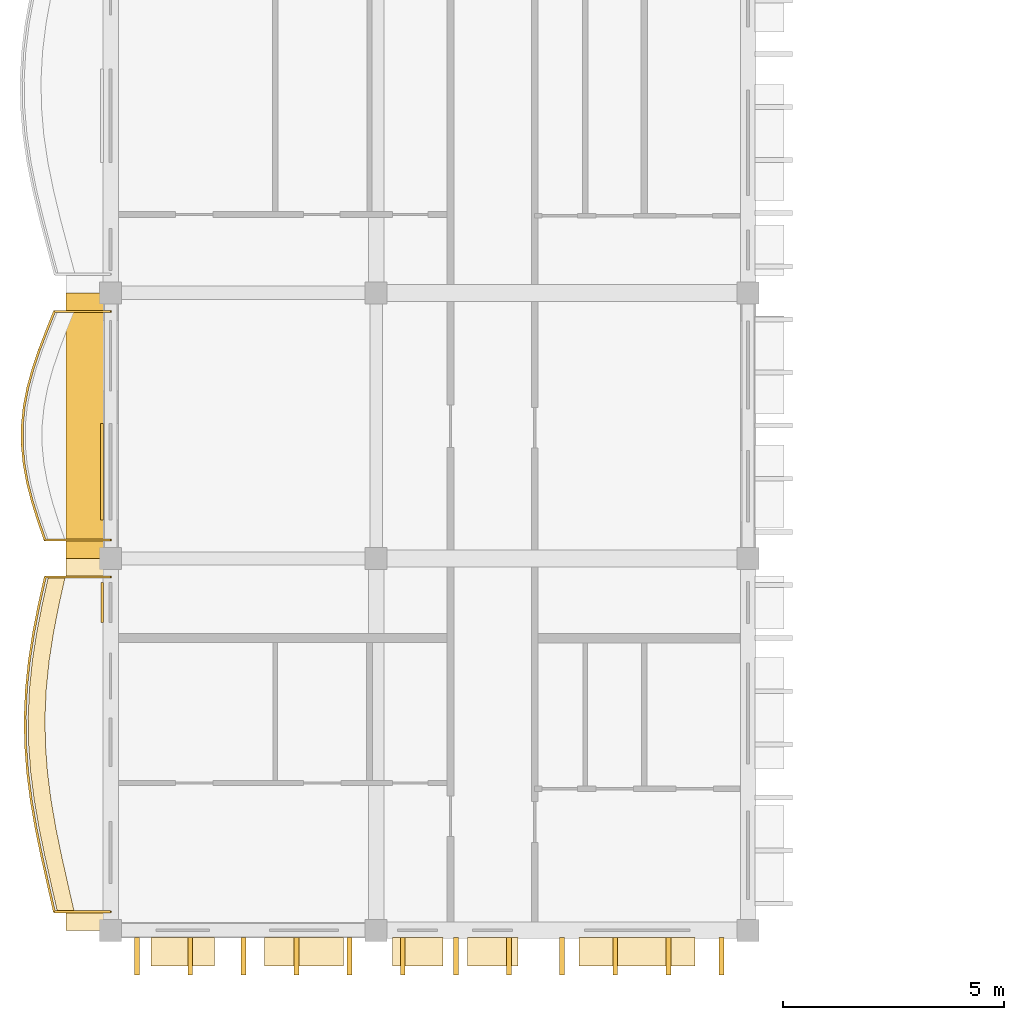
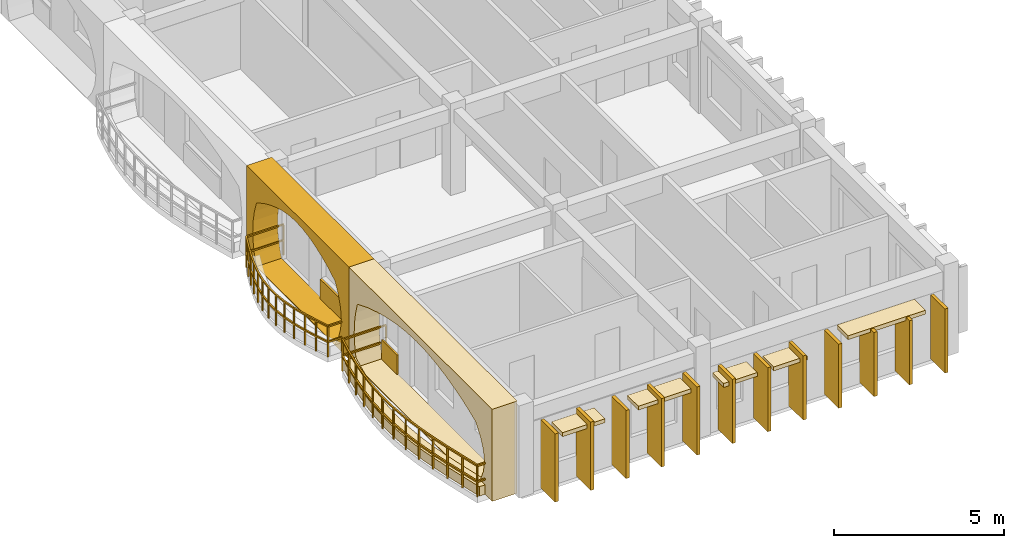
# One storey, part 8 of 11: 22 coverings, 2 railings.
"""IFC4 building model written with IfcOpenShell, lengths in metres."""

from ifc_helpers import new_model, si_unit, direction, frame, origin, origin_2d, place, context, subcontext, project, spatial, polyline, rectangle, outline, extrude, material, layer, layer_set, type_object, element, save


model = new_model("IFC4")

# Units and contexts
model_context = context("Model", 3, precision=1e-05, world=origin(), true_north=direction((0.0, 1.0)))
body_context = subcontext(model_context, "Body", "Model", "MODEL_VIEW")
ifc_project = project(units=[si_unit("LENGTHUNIT", "METRE"), si_unit("AREAUNIT", "SQUARE_METRE"), si_unit("VOLUMEUNIT", "CUBIC_METRE"), si_unit("PLANEANGLEUNIT", "RADIAN"), si_unit("MASSUNIT", "GRAM", prefix="KILO"), si_unit("THERMODYNAMICTEMPERATUREUNIT", "KELVIN")], contexts=[model_context])

# Site, building, storey
site_placement = place(None, origin())
site = spatial("IfcSite", under=ifc_project, at=site_placement, CompositionType="ELEMENT")
building_placement = place(site_placement, origin())
building = spatial("IfcBuilding", under=site, at=building_placement, Name="Thalorik Housing Commons", CompositionType="ELEMENT")
storey_placement = place(building_placement, frame((0.0, 0.0, 47.699951171875)))
storey = spatial("IfcBuildingStorey", under=building, at=storey_placement, Name="L14", CompositionType="ELEMENT", Elevation=47.699951171875)

# Coverings
ifc_material_1 = material(Name="Precast concrete C40/50", Category="concrete")
ifc_layer_1 = layer(ifc_material_1, 0.85009765625, Name="Precast concrete C40/50", Category="concrete")
ifc_layer_set_1 = layer_set([ifc_layer_1], Name="Precast concrete C40/50")
covering_type_1 = type_object("IfcCoveringType", Name="ARC-CLD-CUSH-850", PredefinedType="CLADDING", material=ifc_layer_set_1)
covering_1_placement = place(storey_placement, frame((7.81494140625, 97.800048828125, 0.0), z_axis=(0.0, 0.0, 1.0), x_axis=(0.0, -1.0, 0.0)))
element("IfcCovering", 1, at=covering_1_placement, inside=storey, type_object=covering_type_1, Name="L14 White Precast Curved Cushion Bay Frame 1362", PredefinedType="CLADDING", context=body_context, shape_type="SweptSolid", body=[
    extrude(outline(polyline([(-3.0, 0.0), (3.0, 0.0), (3.0, 3.300048828125), (-3.0, 3.300048828125), (-3.0, 0.0)]), holes=[polyline([(2.179931640625, 0.02490234375), (2.385498046875, 0.404296875), (2.5087890625, 0.783203125), (2.550048828125, 1.16259765625), (2.5087890625, 1.541748046875), (2.385498046875, 1.9208984375), (2.179931640625, 2.300048828125), (1.7958984375, 2.525390625), (1.41162109375, 2.7021484375), (1.027587890625, 2.845458984375), (0.643310546875, 2.951904296875), (0.25927734375, 3.017822265625), (-0.125, 3.0400390625), (-0.50927734375, 3.017822265625), (-0.893310546875, 2.951904296875), (-1.277587890625, 2.845458984375), (-1.66162109375, 2.7021484375), (-2.0458984375, 2.525390625), (-2.429931640625, 2.300048828125), (-2.55029296875, 1.9208984375), (-2.62255859375, 1.541748046875), (-2.646484375, 1.16259765625), (-2.62255859375, 0.783203125), (-2.55029296875, 0.404296875), (-2.429931640625, 0.02490234375), (2.179931640625, 0.02490234375)])]), frame((0.0, 0.425048828125, 0.0), z_axis=(0.0, -1.0, 0.0), x_axis=(1.0, 0.0, 0.0)), (0.0, 0.0, 1.0), 0.85009765625),
])
covering_2_placement = place(storey_placement, frame((7.81494140625, 90.60009765625, 0.0), z_axis=(0.0, 0.0, 1.0), x_axis=(0.0, -1.0, 0.0)))
element("IfcCovering", 2, at=covering_2_placement, inside=storey, type_object=covering_type_1, Name="L14 White Precast Curved Cushion Bay Frame 1364", PredefinedType="CLADDING", context=body_context, shape_type="SweptSolid", body=[
    extrude(outline(polyline([(-4.199951171875, 0.0), (4.199951171875, 0.0), (4.199951171875, 3.300048828125), (-4.199951171875, 3.300048828125), (-4.199951171875, 0.0)]), holes=[polyline([(3.239990234375, 0.02490234375), (3.523193359375, 0.399169921875), (3.693359375, 0.773193359375), (3.75, 1.1474609375), (3.693359375, 1.521728515625), (3.523193359375, 1.895751953125), (3.239990234375, 2.27001953125), (2.661376953125, 2.50439453125), (2.08251953125, 2.6884765625), (1.50390625, 2.837646484375), (0.925048828125, 2.948486328125), (0.34619140625, 3.016845703125), (-0.232421875, 3.0400390625), (-0.811279296875, 3.016845703125), (-1.389892578125, 2.948486328125), (-1.96875, 2.837646484375), (-2.547607421875, 2.6884765625), (-3.126220703125, 2.50439453125), (-3.705078125, 2.27001953125), (-3.8095703125, 1.895751953125), (-3.872314453125, 1.521728515625), (-3.89306640625, 1.1474609375), (-3.872314453125, 0.773193359375), (-3.8095703125, 0.399169921875), (-3.705078125, 0.02490234375), (3.239990234375, 0.02490234375)])]), frame((0.0, 0.425048828125, 0.0), z_axis=(0.0, -1.0, 0.0), x_axis=(1.0, 0.0, 0.0)), (0.0, 0.0, 1.0), 0.85009765625),
])
ifc_layer_2 = layer(ifc_material_1, 0.85009765625, Name="Precast concrete C40/50", Category="concrete")
ifc_layer_set_2 = layer_set([ifc_layer_2], Name="Precast concrete C40/50")
covering_type_2 = type_object("IfcCoveringType", Name="ARC-CLD-FIN-850", PredefinedType="CLADDING", material=ifc_layer_set_2)
for number, where, z_axis, x_axis, name in (
    (3, (9.0, 85.81494140625, 0.0400390625), (0.0, 0.0, 1.0), (1.0, 0.0, 0.0), "L14 Courtyard Precast Vertical Brise-Soleil Fin 1366"),
    (4, (10.199951171875, 85.81494140625, 0.0400390625), (0.0, 0.0, 1.0), (1.0, 0.0, 0.0), "L14 Courtyard Precast Vertical Brise-Soleil Fin 1367"),
    (5, (11.39990234375, 85.81494140625, 0.0400390625), (0.0, 0.0, 1.0), (1.0, 0.0, 0.0), "L14 Courtyard Precast Vertical Brise-Soleil Fin 1368"),
    (6, (12.60009765625, 85.81494140625, 0.0400390625), (0.0, 0.0, 1.0), (1.0, 0.0, 0.0), "L14 Courtyard Precast Vertical Brise-Soleil Fin 1369"),
    (7, (13.800048828125, 85.81494140625, 0.0400390625), (0.0, 0.0, 1.0), (1.0, 0.0, 0.0), "L14 Courtyard Precast Vertical Brise-Soleil Fin 1370"),
):
    element("IfcCovering", number, at=place(storey_placement, frame(where, z_axis=z_axis, x_axis=x_axis)), inside=storey, type_object=covering_type_2, Name=name, PredefinedType="CLADDING", context=body_context, shape_type="SweptSolid", body=[
        extrude(rectangle(XDim=0.110107421875, YDim=0.85009765625, at=origin_2d()), origin(), (0.0, 0.0, 1.0), 2.445068359375),
    ])
for number, where, z_axis, x_axis, name in (
    (8, (15.0, 85.81494140625, 0.0400390625), (0.0, 0.0, 1.0), (1.0, 0.0, 0.0), "L14 Courtyard Precast Vertical Brise-Soleil Fin 1373"),
    (9, (16.199951171875, 85.81494140625, 0.0400390625), (0.0, 0.0, 1.0), (1.0, 0.0, 0.0), "L14 Courtyard Precast Vertical Brise-Soleil Fin 1374"),
    (10, (17.39990234375, 85.81494140625, 0.0400390625), (0.0, 0.0, 1.0), (1.0, 0.0, 0.0), "L14 Courtyard Precast Vertical Brise-Soleil Fin 1375"),
    (11, (18.60009765625, 85.81494140625, 0.0400390625), (0.0, 0.0, 1.0), (1.0, 0.0, 0.0), "L14 Courtyard Precast Vertical Brise-Soleil Fin 1376"),
    (12, (19.800048828125, 85.81494140625, 0.0400390625), (0.0, 0.0, 1.0), (1.0, 0.0, 0.0), "L14 Courtyard Precast Vertical Brise-Soleil Fin 1377"),
    (13, (21.0, 85.81494140625, 0.0400390625), (0.0, 0.0, 1.0), (1.0, 0.0, 0.0), "L14 Courtyard Precast Vertical Brise-Soleil Fin 1378"),
    (14, (22.199951171875, 85.81494140625, 0.0400390625), (0.0, 0.0, 1.0), (1.0, 0.0, 0.0), "L14 Courtyard Precast Vertical Brise-Soleil Fin 1379"),
):
    element("IfcCovering", number, at=place(storey_placement, frame(where, z_axis=z_axis, x_axis=x_axis)), inside=storey, type_object=covering_type_2, Name=name, PredefinedType="CLADDING", context=body_context, shape_type="SweptSolid", body=[
        extrude(rectangle(XDim=0.110107421875, YDim=0.85009765625, at=origin_2d()), origin(), (0.0, 0.0, 1.0), 2.294921875),
    ])
ifc_layer_3 = layer(ifc_material_1, 0.64990234375, Name="Precast concrete C40/50", Category="concrete")
ifc_layer_set_3 = layer_set([ifc_layer_3], Name="Precast concrete C40/50")
covering_type_3 = type_object("IfcCoveringType", Name="ARC-CLD-HOOD-650", PredefinedType="CLADDING", material=ifc_layer_set_3)
covering_3_placement = place(storey_placement, frame((10.030029296875, 85.9150390625, 2.14013671875), z_axis=(0.0, 0.0, 1.0), x_axis=(1.0, 0.0, 0.0)))
element("IfcCovering", 15, at=covering_3_placement, inside=storey, type_object=covering_type_3, Name="L14 Courtyard Precast Window Sun-Hood 1371", PredefinedType="CLADDING", context=body_context, shape_type="SweptSolid", body=[
    extrude(rectangle(XDim=1.43994140625, YDim=0.64990234375, at=origin_2d()), origin(), (0.0, 0.0, 1.0), 0.139892578125),
])
covering_4_placement = place(storey_placement, frame((12.77001953125, 85.9150390625, 2.18994140625), z_axis=(0.0, 0.0, 1.0), x_axis=(1.0, 0.0, 0.0)))
element("IfcCovering", 16, at=covering_4_placement, inside=storey, type_object=covering_type_3, Name="L14 Courtyard Precast Window Sun-Hood 1372", PredefinedType="CLADDING", context=body_context, shape_type="SweptSolid", body=[
    extrude(rectangle(XDim=1.7900390625, YDim=0.64990234375, at=origin_2d()), origin(), (0.0, 0.0, 1.0), 0.139892578125),
])
for number, where, z_axis, x_axis, name in (
    (17, (15.3349609375, 85.9150390625, 1.990234375), (0.0, 0.0, 1.0), (1.0, 0.0, 0.0), "L14 Courtyard Precast Window Sun-Hood 1380"),
    (18, (17.030029296875, 85.9150390625, 1.990234375), (0.0, 0.0, 1.0), (1.0, 0.0, 0.0), "L14 Courtyard Precast Window Sun-Hood 1381"),
):
    element("IfcCovering", number, at=place(storey_placement, frame(where, z_axis=z_axis, x_axis=x_axis)), inside=storey, type_object=covering_type_3, Name=name, PredefinedType="CLADDING", context=body_context, shape_type="SweptSolid", body=[
        extrude(rectangle(XDim=1.139892578125, YDim=0.64990234375, at=origin_2d()), origin(), (0.0, 0.0, 1.0), 0.139892578125),
    ])
covering_5_placement = place(storey_placement, frame((20.294921875, 85.9150390625, 2.22509765625), z_axis=(0.0, 0.0, 1.0), x_axis=(1.0, 0.0, 0.0)))
element("IfcCovering", 19, at=covering_5_placement, inside=storey, type_object=covering_type_3, Name="L14 Courtyard Precast Window Sun-Hood 1382", PredefinedType="CLADDING", context=body_context, shape_type="SweptSolid", body=[
    extrude(rectangle(XDim=2.6201171875, YDim=0.64990234375, at=origin_2d()), origin(), (0.0, 0.0, 1.0), 0.139892578125),
])
ifc_material_2 = material(Name="Terracotta red mineral fibre-cement panel", Category="masonry")
ifc_layer_4 = layer(ifc_material_2, 0.054931640625, Name="Terracotta red mineral fibre-cement panel", Category="masonry")
ifc_layer_set_4 = layer_set([ifc_layer_4], Name="Terracotta red mineral fibre-cement panel")
covering_type_4 = type_object("IfcCoveringType", Name="ARC-CLD-RED-55", PredefinedType="CLADDING", material=ifc_layer_set_4)
covering_6_placement = place(storey_placement, frame((8.20751953125, 93.804931640625, 0.05029296875), z_axis=(0.0, 0.0, 1.0), x_axis=(0.0, -1.0, 0.0)))
element("IfcCovering", 20, at=covering_6_placement, inside=storey, type_object=covering_type_4, Name="L14 De Stijl Recessed Window Spandrel 1365", PredefinedType="CLADDING", context=body_context, shape_type="SweptSolid", body=[
    extrude(rectangle(XDim=0.89990234375, YDim=0.054931640625, at=origin_2d()), origin(), (0.0, 0.0, 1.0), 0.699951171875),
])
ifc_material_3 = material(Name="Mineral ochre architectural terracotta panel", Category="masonry")
ifc_layer_5 = layer(ifc_material_3, 0.06494140625, Name="Mineral ochre architectural terracotta panel", Category="masonry")
ifc_layer_set_5 = layer_set([ifc_layer_5], Name="Mineral ochre architectural terracotta panel")
covering_type_5 = type_object("IfcCoveringType", Name="ARC-CLD-YEL-65", PredefinedType="CLADDING", material=ifc_layer_set_5)
covering_7_placement = place(storey_placement, frame((8.202392578125, 96.760009765625, 0.05029296875), z_axis=(0.0, 0.0, 1.0), x_axis=(0.0, -1.0, 0.0)))
element("IfcCovering", 21, at=covering_7_placement, inside=storey, type_object=covering_type_5, Name="L14 De Stijl Recessed Window Spandrel 1363", PredefinedType="CLADDING", context=body_context, shape_type="SweptSolid", body=[
    extrude(rectangle(XDim=2.179931640625, YDim=0.06494140625, at=origin_2d()), origin(), (0.0, 0.0, 1.0), 0.699951171875),
])
ifc_material_4 = material(Name="Planted vegetated substrate and terracotta trough", Category="masonry")
ifc_layer_6 = layer(ifc_material_4, 0.340087890625, Name="Planted vegetated substrate and terracotta trough", Category="masonry")
ifc_layer_set_6 = layer_set([ifc_layer_6], Name="Planted vegetated substrate and terracotta trough")
covering_type_6 = type_object("IfcCoveringType", Name="ARC-COV-PLANTER", PredefinedType="USERDEFINED", material=ifc_layer_set_6)
covering_8_placement = place(storey_placement, origin())
element("IfcCovering", 22, at=covering_8_placement, inside=storey, type_object=covering_type_6, Name="L14 Balcony Slab-Edge Planted Trough 5409", ObjectType="PLANTER", PredefinedType="USERDEFINED", context=body_context, shape_type="SweptSolid", body=[
    extrude(outline(polyline([(6.99365234375, 94.3798828125), (6.85302734375, 93.75), (6.730224609375, 93.1201171875), (6.633056640625, 92.489990234375), (6.56787109375, 91.860107421875), (6.5390625, 91.22998046875), (6.548583984375, 90.60009765625), (6.59521484375, 89.969970703125), (6.675537109375, 89.340087890625), (6.7841796875, 88.7099609375), (6.913818359375, 88.080078125), (7.055419921875, 87.449951171875), (7.19921875, 86.820068359375), (7.5791015625, 86.820068359375), (7.435302734375, 87.449951171875), (7.293701171875, 88.080078125), (7.164306640625, 88.7099609375), (7.0556640625, 89.340087890625), (6.97509765625, 89.969970703125), (6.928466796875, 90.60009765625), (6.919189453125, 91.22998046875), (6.947998046875, 91.860107421875), (7.012939453125, 92.489990234375), (7.110107421875, 93.1201171875), (7.233154296875, 93.75), (7.37353515625, 94.3798828125), (6.99365234375, 94.3798828125)])), origin(), (0.0, 0.0, 1.0), 0.340087890625),
])

# Railings
ifc_material_5 = material(Name="Steel S355", Category="steel")
railing_type_1 = type_object("IfcRailingType", Name="ARC-RL-BAL-112", PredefinedType="BALUSTRADE", material=ifc_material_5)
railing_1_placement = place(storey_placement, frame((8.39990234375, 100.3798828125, 0.0)))
element("IfcRailing", 23, at=railing_1_placement, inside=storey, type_object=railing_type_1, Name="L14 Cushion Balcony Guardrail 94", PredefinedType="BALUSTRADE", context=body_context, shape_type="SweptSolid", body=[
    extrude(rectangle(XDim=0.050048828125, YDim=0.050048828125, at=origin_2d()), frame((0.0, 0.0, 1.09521484375), z_axis=(-1.0, 0.0, 0.0), x_axis=(0.0, -1.0, 0.0)), (0.0, 0.0, 1.0), 1.26904296875),
    extrude(rectangle(XDim=0.050048828125, YDim=0.050048828125, at=origin_2d()), frame((0.0, 0.0, 0.53515625), z_axis=(-1.0, 0.0, 0.0), x_axis=(0.0, -1.0, 0.0)), (0.0, 0.0, 1.0), 1.26904296875),
    extrude(rectangle(XDim=0.050048828125, YDim=0.050048828125, at=origin_2d()), frame((-1.26904296875, 0.0, 1.09521484375), z_axis=(-0.372117567618, -0.928185604214, 0.0), x_axis=(0.928185604214, -0.372117567618, 0.0)), (0.0, 0.0, 1.0), 0.463134765625),
    extrude(rectangle(XDim=0.050048828125, YDim=0.050048828125, at=origin_2d()), frame((-1.26904296875, 0.0, 0.53515625), z_axis=(-0.372117567618, -0.928185604214, 0.0), x_axis=(0.928185604214, -0.372117567618, 0.0)), (0.0, 0.0, 1.0), 0.463134765625),
    extrude(rectangle(XDim=0.050048828125, YDim=0.050048828125, at=origin_2d()), frame((-1.44140625, -0.429931640625, 1.09521484375), z_axis=(-0.356987736804, -0.934109070597, 0.0), x_axis=(0.934109070597, -0.356987736804, 0.0)), (0.0, 0.0, 1.0), 0.460205078125),
    extrude(rectangle(XDim=0.050048828125, YDim=0.050048828125, at=origin_2d()), frame((-1.44140625, -0.429931640625, 0.53515625), z_axis=(-0.356987736804, -0.934109070597, 0.0), x_axis=(0.934109070597, -0.356987736804, 0.0)), (0.0, 0.0, 1.0), 0.460205078125),
    extrude(rectangle(XDim=0.050048828125, YDim=0.050048828125, at=origin_2d()), frame((-1.605712890625, -0.85986328125, 1.09521484375), z_axis=(-0.321546041533, -0.946893945051, 0.0), x_axis=(0.946893945051, -0.321546041533, 0.0)), (0.0, 0.0, 1.0), 0.4541015625),
    extrude(rectangle(XDim=0.050048828125, YDim=0.050048828125, at=origin_2d()), frame((-1.605712890625, -0.85986328125, 0.53515625), z_axis=(-0.321546041533, -0.946893945051, 0.0), x_axis=(0.946893945051, -0.321546041533, 0.0)), (0.0, 0.0, 1.0), 0.4541015625),
    extrude(rectangle(XDim=0.050048828125, YDim=0.050048828125, at=origin_2d()), frame((-1.751708984375, -1.289794921875, 1.09521484375), z_axis=(-0.26538539722, -0.964142412169, 0.0), x_axis=(0.964142412169, -0.26538539722, 0.0)), (0.0, 0.0, 1.0), 0.4462890625),
    extrude(rectangle(XDim=0.050048828125, YDim=0.050048828125, at=origin_2d()), frame((-1.751708984375, -1.289794921875, 0.53515625), z_axis=(-0.26538539722, -0.964142412169, 0.0), x_axis=(0.964142412169, -0.26538539722, 0.0)), (0.0, 0.0, 1.0), 0.4462890625),
    extrude(rectangle(XDim=0.050048828125, YDim=0.050048828125, at=origin_2d()), frame((-1.8701171875, -1.719970703125, 1.09521484375), z_axis=(-0.190108578835, -0.981763071343, 0.0), x_axis=(0.981763071343, -0.190108578835, 0.0)), (0.0, 0.0, 1.0), 0.43798828125),
    extrude(rectangle(XDim=0.050048828125, YDim=0.050048828125, at=origin_2d()), frame((-1.8701171875, -1.719970703125, 0.53515625), z_axis=(-0.190108578835, -0.981763071343, 0.0), x_axis=(0.981763071343, -0.190108578835, 0.0)), (0.0, 0.0, 1.0), 0.43798828125),
    extrude(rectangle(XDim=0.050048828125, YDim=0.050048828125, at=origin_2d()), frame((-1.953369140625, -2.14990234375, 1.09521484375), z_axis=(-0.099447773896, -0.995042783134, 0.0), x_axis=(0.995042783134, -0.099447773896, 0.0)), (0.0, 0.0, 1.0), 0.43212890625),
    extrude(rectangle(XDim=0.050048828125, YDim=0.050048828125, at=origin_2d()), frame((-1.953369140625, -2.14990234375, 0.53515625), z_axis=(-0.099447773896, -0.995042783134, 0.0), x_axis=(0.995042783134, -0.099447773896, 0.0)), (0.0, 0.0, 1.0), 0.43212890625),
    extrude(rectangle(XDim=0.050048828125, YDim=0.050048828125, at=origin_2d()), frame((-1.996337890625, -2.579833984375, 1.09521484375), z_axis=(-0.002271430824, -0.999997420298, 0.0), x_axis=(0.999997420298, -0.002271430824, 0.0)), (0.0, 0.0, 1.0), 0.429931640625),
    extrude(rectangle(XDim=0.050048828125, YDim=0.050048828125, at=origin_2d()), frame((-1.996337890625, -2.579833984375, 0.53515625), z_axis=(-0.002271430824, -0.999997420298, 0.0), x_axis=(0.999997420298, -0.002271430824, 0.0)), (0.0, 0.0, 1.0), 0.429931640625),
    extrude(rectangle(XDim=0.050048828125, YDim=0.050048828125, at=origin_2d()), frame((-1.997314453125, -3.009765625, 1.09521484375), z_axis=(0.09435580925, -0.99553853831, 0.0), x_axis=(0.99553853831, 0.09435580925, 0.0)), (0.0, 0.0, 1.0), 0.43212890625),
    extrude(rectangle(XDim=0.050048828125, YDim=0.050048828125, at=origin_2d()), frame((-1.997314453125, -3.009765625, 0.53515625), z_axis=(0.09435580925, -0.99553853831, 0.0), x_axis=(0.99553853831, 0.09435580925, 0.0)), (0.0, 0.0, 1.0), 0.43212890625),
    extrude(rectangle(XDim=0.050048828125, YDim=0.050048828125, at=origin_2d()), frame((-1.95654296875, -3.43994140625, 1.09521484375), z_axis=(0.180408925065, -0.983591693619, 0.0), x_axis=(0.983591693619, 0.180408925065, 0.0)), (0.0, 0.0, 1.0), 0.43701171875),
    extrude(rectangle(XDim=0.050048828125, YDim=0.050048828125, at=origin_2d()), frame((-1.95654296875, -3.43994140625, 0.53515625), z_axis=(0.180408925065, -0.983591693619, 0.0), x_axis=(0.983591693619, 0.180408925065, 0.0)), (0.0, 0.0, 1.0), 0.43701171875),
    extrude(rectangle(XDim=0.050048828125, YDim=0.050048828125, at=origin_2d()), frame((-1.877685546875, -3.869873046875, 1.09521484375), z_axis=(0.250160687939, -0.968204332881, 0.0), x_axis=(0.968204332881, 0.250160687939, 0.0)), (0.0, 0.0, 1.0), 0.444091796875),
    extrude(rectangle(XDim=0.050048828125, YDim=0.050048828125, at=origin_2d()), frame((-1.877685546875, -3.869873046875, 0.53515625), z_axis=(0.250160687939, -0.968204332881, 0.0), x_axis=(0.968204332881, 0.250160687939, 0.0)), (0.0, 0.0, 1.0), 0.444091796875),
    extrude(rectangle(XDim=0.050048828125, YDim=0.050048828125, at=origin_2d()), frame((-1.7666015625, -4.2998046875, 1.09521484375), z_axis=(0.29944640042, -0.954113123941, 0.0), x_axis=(0.954113123941, 0.29944640042, 0.0)), (0.0, 0.0, 1.0), 0.450927734375),
    extrude(rectangle(XDim=0.050048828125, YDim=0.050048828125, at=origin_2d()), frame((-1.7666015625, -4.2998046875, 0.53515625), z_axis=(0.29944640042, -0.954113123941, 0.0), x_axis=(0.954113123941, 0.29944640042, 0.0)), (0.0, 0.0, 1.0), 0.450927734375),
    extrude(rectangle(XDim=0.050048828125, YDim=0.050048828125, at=origin_2d()), frame((-1.631591796875, -4.72998046875, 1.09521484375), z_axis=(0.328270961244, -0.944583599267, 0.0), x_axis=(0.944583599267, 0.328270961244, 0.0)), (0.0, 0.0, 1.0), 0.455078125),
    extrude(rectangle(XDim=0.050048828125, YDim=0.050048828125, at=origin_2d()), frame((-1.631591796875, -4.72998046875, 0.53515625), z_axis=(0.328270961244, -0.944583599267, 0.0), x_axis=(0.944583599267, 0.328270961244, 0.0)), (0.0, 0.0, 1.0), 0.455078125),
    extrude(rectangle(XDim=0.050048828125, YDim=0.050048828125, at=origin_2d()), frame((-1.482177734375, -5.159912109375, 1.09521484375), z_axis=(1.0, 0.0, 0.0), x_axis=(0.0, 1.0, 0.0)), (0.0, 0.0, 1.0), 1.482177734375),
    extrude(rectangle(XDim=0.050048828125, YDim=0.050048828125, at=origin_2d()), frame((-1.482177734375, -5.159912109375, 0.53515625), z_axis=(1.0, 0.0, 0.0), x_axis=(0.0, 1.0, 0.0)), (0.0, 0.0, 1.0), 1.482177734375),
    extrude(rectangle(XDim=0.0419921875, YDim=0.0419921875, at=origin_2d()), origin(), (0.0, 0.0, 1.0), 1.070068359375),
    extrude(rectangle(XDim=0.0419921875, YDim=0.0419921875, at=origin_2d()), frame((-1.26904296875, 0.0, 0.0)), (0.0, 0.0, 1.0), 1.070068359375),
    extrude(rectangle(XDim=0.0419921875, YDim=0.0419921875, at=origin_2d()), frame((-1.44140625, -0.429931640625, 0.0)), (0.0, 0.0, 1.0), 1.070068359375),
    extrude(rectangle(XDim=0.0419921875, YDim=0.0419921875, at=origin_2d()), frame((-1.605712890625, -0.85986328125, 0.0)), (0.0, 0.0, 1.0), 1.070068359375),
    extrude(rectangle(XDim=0.0419921875, YDim=0.0419921875, at=origin_2d()), frame((-1.751708984375, -1.289794921875, 0.0)), (0.0, 0.0, 1.0), 1.070068359375),
    extrude(rectangle(XDim=0.0419921875, YDim=0.0419921875, at=origin_2d()), frame((-1.8701171875, -1.719970703125, 0.0)), (0.0, 0.0, 1.0), 1.070068359375),
    extrude(rectangle(XDim=0.0419921875, YDim=0.0419921875, at=origin_2d()), frame((-1.953369140625, -2.14990234375, 0.0)), (0.0, 0.0, 1.0), 1.070068359375),
    extrude(rectangle(XDim=0.0419921875, YDim=0.0419921875, at=origin_2d()), frame((-1.996337890625, -2.579833984375, 0.0)), (0.0, 0.0, 1.0), 1.070068359375),
    extrude(rectangle(XDim=0.0419921875, YDim=0.0419921875, at=origin_2d()), frame((-1.997314453125, -3.009765625, 0.0)), (0.0, 0.0, 1.0), 1.070068359375),
    extrude(rectangle(XDim=0.0419921875, YDim=0.0419921875, at=origin_2d()), frame((-1.95654296875, -3.43994140625, 0.0)), (0.0, 0.0, 1.0), 1.070068359375),
    extrude(rectangle(XDim=0.0419921875, YDim=0.0419921875, at=origin_2d()), frame((-1.877685546875, -3.869873046875, 0.0)), (0.0, 0.0, 1.0), 1.070068359375),
    extrude(rectangle(XDim=0.0419921875, YDim=0.0419921875, at=origin_2d()), frame((-1.7666015625, -4.2998046875, 0.0)), (0.0, 0.0, 1.0), 1.070068359375),
    extrude(rectangle(XDim=0.0419921875, YDim=0.0419921875, at=origin_2d()), frame((-1.631591796875, -4.72998046875, 0.0)), (0.0, 0.0, 1.0), 1.070068359375),
    extrude(rectangle(XDim=0.0419921875, YDim=0.0419921875, at=origin_2d()), frame((-1.482177734375, -5.159912109375, 0.0)), (0.0, 0.0, 1.0), 1.070068359375),
    extrude(rectangle(XDim=0.0419921875, YDim=0.0419921875, at=origin_2d()), frame((0.0, -5.159912109375, 0.0)), (0.0, 0.0, 1.0), 1.070068359375),
])
railing_type_2 = type_object("IfcRailingType", Name="ARC-RL-BAL-115", PredefinedType="BALUSTRADE", material=ifc_material_5)
railing_2_placement = place(storey_placement, frame((8.39990234375, 94.3798828125, 0.0)))
element("IfcRailing", 24, at=railing_2_placement, inside=storey, type_object=railing_type_2, Name="L14 Cushion Balcony Guardrail 93", PredefinedType="BALUSTRADE", context=body_context, shape_type="SweptSolid", body=[
    extrude(rectangle(XDim=0.050048828125, YDim=0.050048828125, at=origin_2d()), frame((0.0, 0.0, 1.125), z_axis=(-1.0, 0.0, 0.0), x_axis=(0.0, -1.0, 0.0)), (0.0, 0.0, 1.0), 1.476318359375),
    extrude(rectangle(XDim=0.050048828125, YDim=0.050048828125, at=origin_2d()), frame((0.0, 0.0, 0.5498046875), z_axis=(-1.0, 0.0, 0.0), x_axis=(0.0, -1.0, 0.0)), (0.0, 0.0, 1.0), 1.476318359375),
    extrude(rectangle(XDim=0.050048828125, YDim=0.050048828125, at=origin_2d()), frame((-1.476318359375, 0.0, 1.125), z_axis=(-0.217531270363, -0.976053352238, 0.0), x_axis=(0.976053352238, -0.217531270363, 0.0)), (0.0, 0.0, 1.0), 0.645263671875),
    extrude(rectangle(XDim=0.050048828125, YDim=0.050048828125, at=origin_2d()), frame((-1.476318359375, 0.0, 0.5498046875), z_axis=(-0.217531270363, -0.976053352238, 0.0), x_axis=(0.976053352238, -0.217531270363, 0.0)), (0.0, 0.0, 1.0), 0.645263671875),
    extrude(rectangle(XDim=0.050048828125, YDim=0.050048828125, at=origin_2d()), frame((-1.61669921875, -0.6298828125, 1.125), z_axis=(-0.19172486486, -0.981448712972, 0.0), x_axis=(0.981448712972, -0.19172486486, 0.0)), (0.0, 0.0, 1.0), 0.641845703125),
    extrude(rectangle(XDim=0.050048828125, YDim=0.050048828125, at=origin_2d()), frame((-1.61669921875, -0.6298828125, 0.5498046875), z_axis=(-0.19172486486, -0.981448712972, 0.0), x_axis=(0.981448712972, -0.19172486486, 0.0)), (0.0, 0.0, 1.0), 0.641845703125),
    extrude(rectangle(XDim=0.050048828125, YDim=0.050048828125, at=origin_2d()), frame((-1.73974609375, -1.259765625, 1.125), z_axis=(-0.152402467695, -0.988318515379, 0.0), x_axis=(0.988318515379, -0.152402467695, 0.0)), (0.0, 0.0, 1.0), 0.6376953125),
    extrude(rectangle(XDim=0.050048828125, YDim=0.050048828125, at=origin_2d()), frame((-1.73974609375, -1.259765625, 0.5498046875), z_axis=(-0.152402467695, -0.988318515379, 0.0), x_axis=(0.988318515379, -0.152402467695, 0.0)), (0.0, 0.0, 1.0), 0.6376953125),
    extrude(rectangle(XDim=0.050048828125, YDim=0.050048828125, at=origin_2d()), frame((-1.8369140625, -1.889892578125, 1.125), z_axis=(-0.10293861194, -0.994687710878, 0.0), x_axis=(0.994687710878, -0.10293861194, 0.0)), (0.0, 0.0, 1.0), 0.63330078125),
    extrude(rectangle(XDim=0.050048828125, YDim=0.050048828125, at=origin_2d()), frame((-1.8369140625, -1.889892578125, 0.5498046875), z_axis=(-0.10293861194, -0.994687710878, 0.0), x_axis=(0.994687710878, -0.10293861194, 0.0)), (0.0, 0.0, 1.0), 0.63330078125),
    extrude(rectangle(XDim=0.050048828125, YDim=0.050048828125, at=origin_2d()), frame((-1.902099609375, -2.519775390625, 1.125), z_axis=(-0.045671007804, -0.998956535114, 0.0), x_axis=(0.998956535114, -0.045671007804, 0.0)), (0.0, 0.0, 1.0), 0.630859375),
    extrude(rectangle(XDim=0.050048828125, YDim=0.050048828125, at=origin_2d()), frame((-1.902099609375, -2.519775390625, 0.5498046875), z_axis=(-0.045671007804, -0.998956535114, 0.0), x_axis=(0.998956535114, -0.045671007804, 0.0)), (0.0, 0.0, 1.0), 0.630859375),
    extrude(rectangle(XDim=0.050048828125, YDim=0.050048828125, at=origin_2d()), frame((-1.930908203125, -3.14990234375, 1.125), z_axis=(0.015114552316, -0.99988576863, 0.0), x_axis=(0.99988576863, 0.015114552316, 0.0)), (0.0, 0.0, 1.0), 0.6298828125),
    extrude(rectangle(XDim=0.050048828125, YDim=0.050048828125, at=origin_2d()), frame((-1.930908203125, -3.14990234375, 0.5498046875), z_axis=(0.015114552316, -0.99988576863, 0.0), x_axis=(0.99988576863, 0.015114552316, 0.0)), (0.0, 0.0, 1.0), 0.6298828125),
    extrude(rectangle(XDim=0.050048828125, YDim=0.050048828125, at=origin_2d()), frame((-1.92138671875, -3.77978515625, 1.125), z_axis=(0.073800522063, -0.997273023271, 0.0), x_axis=(0.997273023271, 0.073800522063, 0.0)), (0.0, 0.0, 1.0), 0.6318359375),
    extrude(rectangle(XDim=0.050048828125, YDim=0.050048828125, at=origin_2d()), frame((-1.92138671875, -3.77978515625, 0.5498046875), z_axis=(0.073800522063, -0.997273023271, 0.0), x_axis=(0.997273023271, 0.073800522063, 0.0)), (0.0, 0.0, 1.0), 0.6318359375),
    extrude(rectangle(XDim=0.050048828125, YDim=0.050048828125, at=origin_2d()), frame((-1.874755859375, -4.409912109375, 1.125), z_axis=(0.126873350813, -0.991918924536, 0.0), x_axis=(0.991918924536, 0.126873350813, 0.0)), (0.0, 0.0, 1.0), 0.635009765625),
    extrude(rectangle(XDim=0.050048828125, YDim=0.050048828125, at=origin_2d()), frame((-1.874755859375, -4.409912109375, 0.5498046875), z_axis=(0.126873350813, -0.991918924536, 0.0), x_axis=(0.991918924536, 0.126873350813, 0.0)), (0.0, 0.0, 1.0), 0.635009765625),
    extrude(rectangle(XDim=0.050048828125, YDim=0.050048828125, at=origin_2d()), frame((-1.794189453125, -5.039794921875, 1.125), z_axis=(0.169906916508, -0.985460115744, 0.0), x_axis=(0.985460115744, 0.169906916508, 0.0)), (0.0, 0.0, 1.0), 0.639404296875),
    extrude(rectangle(XDim=0.050048828125, YDim=0.050048828125, at=origin_2d()), frame((-1.794189453125, -5.039794921875, 0.5498046875), z_axis=(0.169906916508, -0.985460115744, 0.0), x_axis=(0.985460115744, 0.169906916508, 0.0)), (0.0, 0.0, 1.0), 0.639404296875),
    extrude(rectangle(XDim=0.050048828125, YDim=0.050048828125, at=origin_2d()), frame((-1.685546875, -5.669921875, 1.125), z_axis=(0.201224395652, -0.979545171288, 0.0), x_axis=(0.979545171288, 0.201224395652, 0.0)), (0.0, 0.0, 1.0), 0.64306640625),
    extrude(rectangle(XDim=0.050048828125, YDim=0.050048828125, at=origin_2d()), frame((-1.685546875, -5.669921875, 0.5498046875), z_axis=(0.201224395652, -0.979545171288, 0.0), x_axis=(0.979545171288, 0.201224395652, 0.0)), (0.0, 0.0, 1.0), 0.64306640625),
    extrude(rectangle(XDim=0.050048828125, YDim=0.050048828125, at=origin_2d()), frame((-1.55615234375, -6.2998046875, 1.125), z_axis=(0.219251329061, -0.975668414322, 0.0), x_axis=(0.975668414322, 0.219251329061, 0.0)), (0.0, 0.0, 1.0), 0.645751953125),
    extrude(rectangle(XDim=0.050048828125, YDim=0.050048828125, at=origin_2d()), frame((-1.55615234375, -6.2998046875, 0.5498046875), z_axis=(0.219251329061, -0.975668414322, 0.0), x_axis=(0.975668414322, 0.219251329061, 0.0)), (0.0, 0.0, 1.0), 0.645751953125),
    extrude(rectangle(XDim=0.050048828125, YDim=0.050048828125, at=origin_2d()), frame((-1.41455078125, -6.929931640625, 1.125), z_axis=(0.222568284486, -0.974917103523, 0.0), x_axis=(0.974917103523, 0.222568284486, 0.0)), (0.0, 0.0, 1.0), 0.64599609375),
    extrude(rectangle(XDim=0.050048828125, YDim=0.050048828125, at=origin_2d()), frame((-1.41455078125, -6.929931640625, 0.5498046875), z_axis=(0.222568284486, -0.974917103523, 0.0), x_axis=(0.974917103523, 0.222568284486, 0.0)), (0.0, 0.0, 1.0), 0.64599609375),
    extrude(rectangle(XDim=0.050048828125, YDim=0.050048828125, at=origin_2d()), frame((-1.270751953125, -7.559814453125, 1.125), z_axis=(1.0, 0.0, 0.0), x_axis=(0.0, 1.0, 0.0)), (0.0, 0.0, 1.0), 1.270751953125),
    extrude(rectangle(XDim=0.050048828125, YDim=0.050048828125, at=origin_2d()), frame((-1.270751953125, -7.559814453125, 0.5498046875), z_axis=(1.0, 0.0, 0.0), x_axis=(0.0, 1.0, 0.0)), (0.0, 0.0, 1.0), 1.270751953125),
    extrude(rectangle(XDim=0.0419921875, YDim=0.0419921875, at=origin_2d()), origin(), (0.0, 0.0, 1.0), 1.099853515625),
    extrude(rectangle(XDim=0.0419921875, YDim=0.0419921875, at=origin_2d()), frame((-1.476318359375, 0.0, 0.0)), (0.0, 0.0, 1.0), 1.099853515625),
    extrude(rectangle(XDim=0.0419921875, YDim=0.0419921875, at=origin_2d()), frame((-1.61669921875, -0.6298828125, 0.0)), (0.0, 0.0, 1.0), 1.099853515625),
    extrude(rectangle(XDim=0.0419921875, YDim=0.0419921875, at=origin_2d()), frame((-1.73974609375, -1.259765625, 0.0)), (0.0, 0.0, 1.0), 1.099853515625),
    extrude(rectangle(XDim=0.0419921875, YDim=0.0419921875, at=origin_2d()), frame((-1.8369140625, -1.889892578125, 0.0)), (0.0, 0.0, 1.0), 1.099853515625),
    extrude(rectangle(XDim=0.0419921875, YDim=0.0419921875, at=origin_2d()), frame((-1.902099609375, -2.519775390625, 0.0)), (0.0, 0.0, 1.0), 1.099853515625),
    extrude(rectangle(XDim=0.0419921875, YDim=0.0419921875, at=origin_2d()), frame((-1.930908203125, -3.14990234375, 0.0)), (0.0, 0.0, 1.0), 1.099853515625),
    extrude(rectangle(XDim=0.0419921875, YDim=0.0419921875, at=origin_2d()), frame((-1.92138671875, -3.77978515625, 0.0)), (0.0, 0.0, 1.0), 1.099853515625),
    extrude(rectangle(XDim=0.0419921875, YDim=0.0419921875, at=origin_2d()), frame((-1.874755859375, -4.409912109375, 0.0)), (0.0, 0.0, 1.0), 1.099853515625),
    extrude(rectangle(XDim=0.0419921875, YDim=0.0419921875, at=origin_2d()), frame((-1.794189453125, -5.039794921875, 0.0)), (0.0, 0.0, 1.0), 1.099853515625),
    extrude(rectangle(XDim=0.0419921875, YDim=0.0419921875, at=origin_2d()), frame((-1.685546875, -5.669921875, 0.0)), (0.0, 0.0, 1.0), 1.099853515625),
    extrude(rectangle(XDim=0.0419921875, YDim=0.0419921875, at=origin_2d()), frame((-1.55615234375, -6.2998046875, 0.0)), (0.0, 0.0, 1.0), 1.099853515625),
    extrude(rectangle(XDim=0.0419921875, YDim=0.0419921875, at=origin_2d()), frame((-1.41455078125, -6.929931640625, 0.0)), (0.0, 0.0, 1.0), 1.099853515625),
    extrude(rectangle(XDim=0.0419921875, YDim=0.0419921875, at=origin_2d()), frame((-1.270751953125, -7.559814453125, 0.0)), (0.0, 0.0, 1.0), 1.099853515625),
    extrude(rectangle(XDim=0.0419921875, YDim=0.0419921875, at=origin_2d()), frame((0.0, -7.559814453125, 0.0)), (0.0, 0.0, 1.0), 1.099853515625),
])

save(model, "model.ifc")
